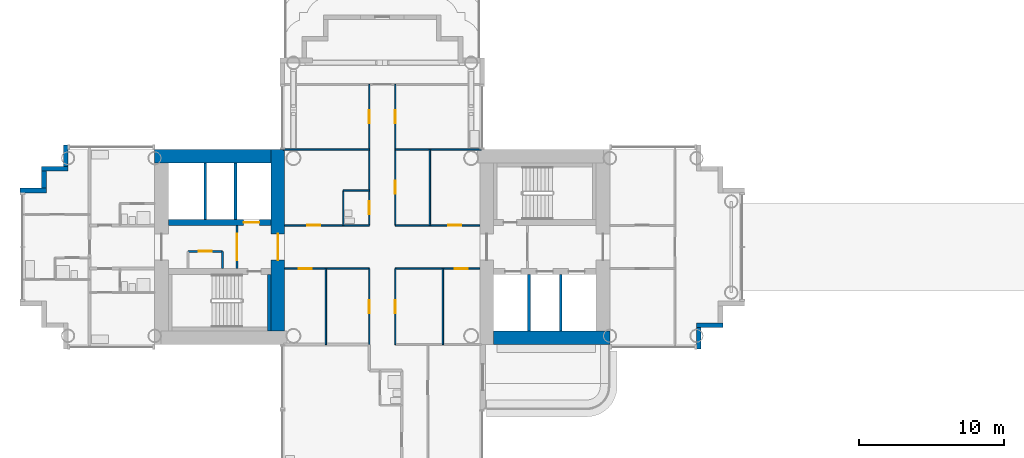
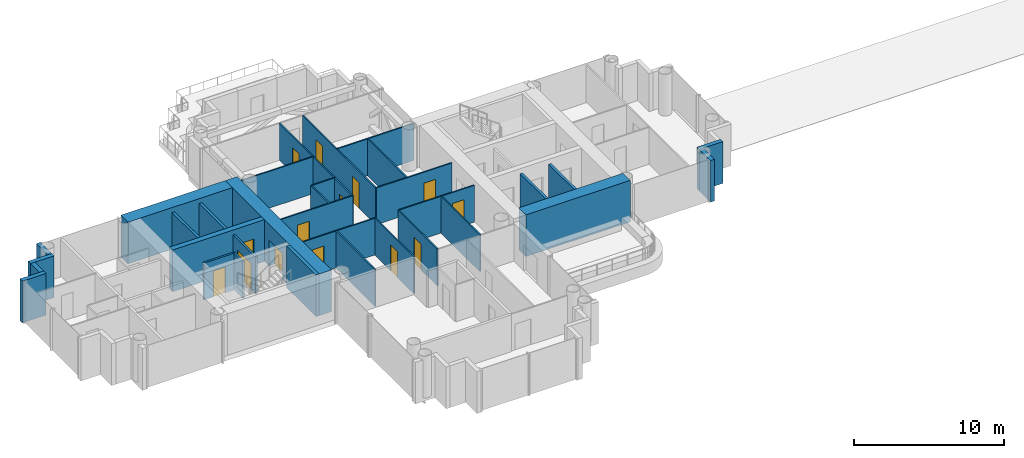
# One storey, part 11 of 22: 33 walls, 14 doors, 14 openings.
"""IFC4 building model written with IfcOpenShell, lengths in metres."""

from ifc_helpers import new_model, si_unit, direction, frame, frame_2d, origin, place, context, subcontext, project, spatial, rectangle, extrude, material, layer, layer_set, type_object, element, fill, save


model = new_model("IFC4")

# Units and contexts
model_context = context("Model", 3, precision=1e-05, world=origin(), true_north=direction((0.0, 1.0)))
body_context = subcontext(model_context, "Body", "Model", "MODEL_VIEW")
ifc_project = project(units=[si_unit("LENGTHUNIT", "METRE"), si_unit("AREAUNIT", "SQUARE_METRE"), si_unit("VOLUMEUNIT", "CUBIC_METRE"), si_unit("PLANEANGLEUNIT", "RADIAN"), si_unit("MASSUNIT", "GRAM", prefix="KILO")], contexts=[model_context])

# Site, building, storey
site_placement = place(None, origin())
site = spatial("IfcSite", under=ifc_project, at=site_placement, CompositionType="ELEMENT")
building_placement = place(site_placement, origin())
building = spatial("IfcBuilding", under=site, at=building_placement, Name="Ipe Terrace Towers", CompositionType="ELEMENT")
storey_placement = place(building_placement, frame((0.0, 0.0, 76.60009765625)))
storey = spatial("IfcBuildingStorey", under=building, at=storey_placement, Name="L20", CompositionType="ELEMENT", Elevation=76.60009765625)

# Walls
ifc_material_1 = material(Name="Concrete C40/50 with buff precast cladding", Category="concrete")
ifc_layer_1 = layer(ifc_material_1, 0.320068359375)
ifc_layer_set_1 = layer_set([ifc_layer_1], Name="BUFF CLADDING WALL 320")
wall_type_1 = type_object("IfcWallType", Name="BUFF CLADDING WALL 320", PredefinedType="STANDARD", material=ifc_layer_set_1)
wall_1_placement = place(storey_placement, frame((-14.090087890625, -7.070068359375, -0.300048828125), z_axis=(0.0, 0.0, 1.0), x_axis=(0.0, 1.0, 0.0)))
element("IfcWall", 1, at=wall_1_placement, inside=storey, type_object=wall_type_1, Name="T1-W-L20-21a wall", PredefinedType="STANDARD", context=body_context, shape_type="SweptSolid", body=[
    extrude(rectangle(XDim=1.5, YDim=0.320068359375, at=frame_2d((0.75, 0.0))), origin(), (0.0, 0.0, 1.0), 3.39990234375),
])
wall_2_placement = place(storey_placement, frame((-14.25, -5.409912109375, -0.300048828125), z_axis=(0.0, 0.0, 1.0), x_axis=(1.0, 0.0, 0.0)))
element("IfcWall", 2, at=wall_2_placement, inside=storey, type_object=wall_type_1, Name="T1-W-L20-22a wall", PredefinedType="STANDARD", context=body_context, shape_type="SweptSolid", body=[
    extrude(rectangle(XDim=1.820068359375, YDim=0.320068359375, at=frame_2d((0.91015625, 0.0))), origin(), (0.0, 0.0, 1.0), 3.39990234375),
])
wall_3_placement = place(storey_placement, frame((-57.909912109375, 7.070068359375, -0.300048828125), z_axis=(0.0, 0.0, 1.0), x_axis=(0.0, -1.0, 0.0)))
element("IfcWall", 3, at=wall_3_placement, inside=storey, type_object=wall_type_1, Name="T1-W-L20-47a wall", PredefinedType="STANDARD", context=body_context, shape_type="SweptSolid", body=[
    extrude(rectangle(XDim=1.5, YDim=0.320068359375, at=frame_2d((0.75, 0.0))), origin(), (0.0, 0.0, 1.0), 3.39990234375),
])
wall_4_placement = place(storey_placement, frame((-57.75, 5.409912109375, -0.300048828125), z_axis=(0.0, 0.0, 1.0), x_axis=(-1.0, 0.0, 0.0)))
element("IfcWall", 4, at=wall_4_placement, inside=storey, type_object=wall_type_1, Name="T1-W-L20-48a wall", PredefinedType="STANDARD", context=body_context, shape_type="SweptSolid", body=[
    extrude(rectangle(XDim=1.820068359375, YDim=0.320068359375, at=frame_2d((0.91015625, 0.0))), origin(), (0.0, 0.0, 1.0), 3.39990234375),
])
wall_5_placement = place(storey_placement, frame((-59.409912109375, 5.25, -0.300048828125), z_axis=(0.0, 0.0, 1.0), x_axis=(0.0, -1.0, 0.0)))
element("IfcWall", 5, at=wall_5_placement, inside=storey, type_object=wall_type_1, Name="T1-W-L20-49a wall", PredefinedType="STANDARD", context=body_context, shape_type="SweptSolid", body=[
    extrude(rectangle(XDim=1.179931640625, YDim=0.320068359375, at=frame_2d((0.58984375, 0.0))), origin(), (0.0, 0.0, 1.0), 3.39990234375),
])
wall_6_placement = place(storey_placement, frame((-59.25, 3.909912109375, -0.300048828125), z_axis=(0.0, 0.0, 1.0), x_axis=(-1.0, 0.0, 0.0)))
element("IfcWall", 6, at=wall_6_placement, inside=storey, type_object=wall_type_1, Name="T1-W-L20-50a wall", PredefinedType="STANDARD", context=body_context, shape_type="SweptSolid", body=[
    extrude(rectangle(XDim=1.820068359375, YDim=0.320068359375, at=frame_2d((0.91015625, 0.0))), origin(), (0.0, 0.0, 1.0), 3.39990234375),
])
ifc_material_2 = material(Name="Gypsum board partition", Category="plasterboard")
ifc_layer_2 = layer(ifc_material_2, 0.10009765625)
ifc_layer_set_2 = layer_set([ifc_layer_2], Name="Gypsum board partition 100 mm")
wall_type_2 = type_object("IfcWallType", Name="Gypsum board partition 100 mm", PredefinedType="PARTITIONING", material=ifc_layer_set_2)
wall_7_placement = place(storey_placement, frame((-39.89990234375, -6.75, 0.0), z_axis=(0.0, 0.0, 1.0), x_axis=(0.0, 1.0, 0.0)))
element("IfcWall", 7, at=wall_7_placement, inside=storey, type_object=wall_type_2, Name="Gypsum board partition T1 L20 W05", PredefinedType="PARTITIONING", context=body_context, shape_type="SweptSolid", body=[
    extrude(rectangle(XDim=5.25, YDim=0.10009765625, at=frame_2d((2.625, 0.0))), origin(), (0.0, 0.0, 1.0), 3.0),
])
wall_8_placement = place(storey_placement, frame((-38.699951171875, 1.5, 0.0), z_axis=(0.0, 0.0, 1.0), x_axis=(0.0, 1.0, 0.0)))
element("IfcWall", 8, at=wall_8_placement, inside=storey, type_object=wall_type_2, Name="Gypsum board partition T1 L20 W06", PredefinedType="PARTITIONING", context=body_context, shape_type="SweptSolid", body=[
    extrude(rectangle(XDim=2.39990234375, YDim=0.10009765625, at=frame_2d((1.199951171875, 0.0))), origin(), (0.0, 0.0, 1.0), 3.0),
])

# Wall, opening, door
wall_9_placement = place(storey_placement, frame((-36.89990234375, -6.75, 0.0), z_axis=(0.0, 0.0, 1.0), x_axis=(0.0, 1.0, 0.0)))
wall_9 = element("IfcWall", 9, at=wall_9_placement, inside=storey, type_object=wall_type_2, Name="Gypsum board partition T1 L20 W07", PredefinedType="PARTITIONING", context=body_context, shape_type="SweptSolid", body=[
    extrude(rectangle(XDim=5.25, YDim=0.10009765625, at=frame_2d((2.625, 0.0))), origin(), (0.0, 0.0, 1.0), 3.0),
])
opening_1_placement = place(wall_9_placement, frame((2.175048828125, 0.0, 0.0)))
opening_1 = element("IfcOpeningElement", 10, at=opening_1_placement, cuts=wall_9, Name="Opening T1-Z2B-05", PredefinedType="OPENING", context=body_context, shape_type="SweptSolid", body=[
    extrude(rectangle(XDim=0.89990234375, YDim=2.10009765625, at=frame_2d((0.449951171875, 1.050048828125))), frame((0.0, 0.06005859375, 0.0), z_axis=(0.0, -1.0, 0.0), x_axis=(1.0, 0.0, 0.0)), (0.0, 0.0, 1.0), 0.1201171875),
])
ifc_material_3 = material(Name="Timber door leaf", Category="wood")
door_type_1 = type_object("IfcDoorType", Name="Lounge door 900 x 2100", OperationType="NOTDEFINED", PredefinedType="DOOR", material=ifc_material_3)
door_1_placement = place(opening_1_placement, origin())
door_1 = element("IfcDoor", 11, at=door_1_placement, inside=storey, type_object=door_type_1, Name="Lounge door T1-Z2B-05", OperationType="SINGLE_SWING_LEFT", OverallHeight=2.10009765625, OverallWidth=0.89990234375, PredefinedType="DOOR", context=body_context, shape_type="SweptSolid", body=[
    extrude(rectangle(XDim=0.89990234375, YDim=2.10009765625, at=frame_2d((0.449951171875, 1.050048828125))), frame((0.0, 0.02490234375, 0.0), z_axis=(0.0, -1.0, 0.0), x_axis=(1.0, 0.0, 0.0)), (0.0, 0.0, 1.0), 0.050048828125),
])
fill(opening_1, door_1)

# Wall, openings, doors
wall_10_placement = place(storey_placement, frame((-36.89990234375, 1.5, 0.0), z_axis=(0.0, 0.0, 1.0), x_axis=(0.0, 1.0, 0.0)))
wall_10 = element("IfcWall", 12, at=wall_10_placement, inside=storey, type_object=wall_type_2, Name="Gypsum board partition T1 L20 W08", PredefinedType="PARTITIONING", context=body_context, shape_type="SweptSolid", body=[
    extrude(rectangle(XDim=9.75, YDim=0.10009765625, at=frame_2d((4.875, 0.0))), origin(), (0.0, 0.0, 1.0), 3.0),
])
opening_2_placement = place(wall_10_placement, frame((0.75, 0.0, 0.0)))
opening_2 = element("IfcOpeningElement", 13, at=opening_2_placement, cuts=wall_10, Name="Opening T1-Z2B-01", PredefinedType="OPENING", context=body_context, shape_type="SweptSolid", body=[
    extrude(rectangle(XDim=0.89990234375, YDim=2.10009765625, at=frame_2d((0.449951171875, 1.050048828125))), frame((0.0, 0.06005859375, 0.0), z_axis=(0.0, -1.0, 0.0), x_axis=(1.0, 0.0, 0.0)), (0.0, 0.0, 1.0), 0.1201171875),
])
opening_3_placement = place(wall_10_placement, frame((7.050048828125, 0.0, 0.0)))
opening_3 = element("IfcOpeningElement", 14, at=opening_3_placement, cuts=wall_10, Name="Opening T1-Z2B-09", PredefinedType="OPENING", context=body_context, shape_type="SweptSolid", body=[
    extrude(rectangle(XDim=0.89990234375, YDim=2.10009765625, at=frame_2d((0.449951171875, 1.050048828125))), frame((0.0, 0.06005859375, 0.0), z_axis=(0.0, -1.0, 0.0), x_axis=(1.0, 0.0, 0.0)), (0.0, 0.0, 1.0), 0.1201171875),
])
ifc_material_4 = material(Name="Timber door leaf", Category="wood")
door_type_2 = type_object("IfcDoorType", Name="Bathroom door 900 x 2100", OperationType="NOTDEFINED", PredefinedType="DOOR", material=ifc_material_4)
door_2_placement = place(opening_2_placement, origin())
door_2 = element("IfcDoor", 15, at=door_2_placement, inside=storey, type_object=door_type_2, Name="Bathroom door T1-Z2B-01", OperationType="SINGLE_SWING_RIGHT", OverallHeight=2.10009765625, OverallWidth=0.89990234375, PredefinedType="DOOR", context=body_context, shape_type="SweptSolid", body=[
    extrude(rectangle(XDim=0.89990234375, YDim=2.10009765625, at=frame_2d((0.449951171875, 1.050048828125))), frame((0.0, 0.02490234375, 0.0), z_axis=(0.0, -1.0, 0.0), x_axis=(1.0, 0.0, 0.0)), (0.0, 0.0, 1.0), 0.050048828125),
])
fill(opening_2, door_2)
door_3_placement = place(opening_3_placement, origin())
door_3 = element("IfcDoor", 16, at=door_3_placement, inside=storey, type_object=door_type_1, Name="Lounge door T1-Z2B-09", OperationType="SINGLE_SWING_LEFT", OverallHeight=2.10009765625, OverallWidth=0.89990234375, PredefinedType="DOOR", context=body_context, shape_type="SweptSolid", body=[
    extrude(rectangle(XDim=0.89990234375, YDim=2.10009765625, at=frame_2d((0.449951171875, 1.050048828125))), frame((0.0, 0.02490234375, 0.0), z_axis=(0.0, -1.0, 0.0), x_axis=(1.0, 0.0, 0.0)), (0.0, 0.0, 1.0), 0.050048828125),
])
fill(opening_3, door_3)

# Wall, opening, door
wall_11_placement = place(storey_placement, frame((-35.10009765625, -6.75, 0.0), z_axis=(0.0, 0.0, 1.0), x_axis=(0.0, 1.0, 0.0)))
wall_11 = element("IfcWall", 17, at=wall_11_placement, inside=storey, type_object=wall_type_2, Name="Gypsum board partition T1 L20 W11", PredefinedType="PARTITIONING", context=body_context, shape_type="SweptSolid", body=[
    extrude(rectangle(XDim=5.25, YDim=0.10009765625, at=frame_2d((2.625, 0.0))), origin(), (0.0, 0.0, 1.0), 3.0),
])
opening_4_placement = place(wall_11_placement, frame((2.175048828125, 0.0, 0.0)))
opening_4 = element("IfcOpeningElement", 18, at=opening_4_placement, cuts=wall_11, Name="Opening T1-Z2B-07", PredefinedType="OPENING", context=body_context, shape_type="SweptSolid", body=[
    extrude(rectangle(XDim=0.89990234375, YDim=2.10009765625, at=frame_2d((0.449951171875, 1.050048828125))), frame((0.0, 0.06005859375, 0.0), z_axis=(0.0, -1.0, 0.0), x_axis=(1.0, 0.0, 0.0)), (0.0, 0.0, 1.0), 0.1201171875),
])
door_4_placement = place(opening_4_placement, origin())
door_4 = element("IfcDoor", 19, at=door_4_placement, inside=storey, type_object=door_type_1, Name="Lounge door T1-Z2B-07", OperationType="SINGLE_SWING_RIGHT", OverallHeight=2.10009765625, OverallWidth=0.89990234375, PredefinedType="DOOR", context=body_context, shape_type="SweptSolid", body=[
    extrude(rectangle(XDim=0.89990234375, YDim=2.10009765625, at=frame_2d((0.449951171875, 1.050048828125))), frame((0.0, 0.02490234375, 0.0), z_axis=(0.0, -1.0, 0.0), x_axis=(1.0, 0.0, 0.0)), (0.0, 0.0, 1.0), 0.050048828125),
])
fill(opening_4, door_4)

# Wall, openings, doors
wall_12_placement = place(storey_placement, frame((-35.10009765625, 1.5, 0.0), z_axis=(0.0, 0.0, 1.0), x_axis=(0.0, 1.0, 0.0)))
wall_12 = element("IfcWall", 20, at=wall_12_placement, inside=storey, type_object=wall_type_2, Name="Gypsum board partition T1 L20 W12", PredefinedType="PARTITIONING", context=body_context, shape_type="SweptSolid", body=[
    extrude(rectangle(XDim=9.75, YDim=0.10009765625, at=frame_2d((4.875, 0.0))), origin(), (0.0, 0.0, 1.0), 3.0),
])
opening_5_placement = place(wall_12_placement, frame((2.175048828125, 0.0, 0.0)))
opening_5 = element("IfcOpeningElement", 21, at=opening_5_placement, cuts=wall_12, Name="Opening T1-Z2B-02", PredefinedType="OPENING", context=body_context, shape_type="SweptSolid", body=[
    extrude(rectangle(XDim=0.89990234375, YDim=2.10009765625, at=frame_2d((0.449951171875, 1.050048828125))), frame((0.0, 0.06005859375, 0.0), z_axis=(0.0, -1.0, 0.0), x_axis=(1.0, 0.0, 0.0)), (0.0, 0.0, 1.0), 0.1201171875),
])
opening_6_placement = place(wall_12_placement, frame((7.050048828125, 0.0, 0.0)))
opening_6 = element("IfcOpeningElement", 22, at=opening_6_placement, cuts=wall_12, Name="Opening T1-Z2B-10", PredefinedType="OPENING", context=body_context, shape_type="SweptSolid", body=[
    extrude(rectangle(XDim=0.89990234375, YDim=2.10009765625, at=frame_2d((0.449951171875, 1.050048828125))), frame((0.0, 0.06005859375, 0.0), z_axis=(0.0, -1.0, 0.0), x_axis=(1.0, 0.0, 0.0)), (0.0, 0.0, 1.0), 0.1201171875),
])
door_5_placement = place(opening_5_placement, origin())
door_5 = element("IfcDoor", 23, at=door_5_placement, inside=storey, type_object=door_type_1, Name="Lounge door T1-Z2B-02", OperationType="SINGLE_SWING_LEFT", OverallHeight=2.10009765625, OverallWidth=0.89990234375, PredefinedType="DOOR", context=body_context, shape_type="SweptSolid", body=[
    extrude(rectangle(XDim=0.89990234375, YDim=2.10009765625, at=frame_2d((0.449951171875, 1.050048828125))), frame((0.0, 0.02490234375, 0.0), z_axis=(0.0, -1.0, 0.0), x_axis=(1.0, 0.0, 0.0)), (0.0, 0.0, 1.0), 0.050048828125),
])
fill(opening_5, door_5)
door_6_placement = place(opening_6_placement, origin())
door_6 = element("IfcDoor", 24, at=door_6_placement, inside=storey, type_object=door_type_1, Name="Lounge door T1-Z2B-10", OperationType="SINGLE_SWING_RIGHT", OverallHeight=2.10009765625, OverallWidth=0.89990234375, PredefinedType="DOOR", context=body_context, shape_type="SweptSolid", body=[
    extrude(rectangle(XDim=0.89990234375, YDim=2.10009765625, at=frame_2d((0.449951171875, 1.050048828125))), frame((0.0, 0.02490234375, 0.0), z_axis=(0.0, -1.0, 0.0), x_axis=(1.0, 0.0, 0.0)), (0.0, 0.0, 1.0), 0.050048828125),
])
fill(opening_6, door_6)

# Walls
for number, where, z_axis, x_axis, name in (
    (25, (-32.699951171875, 1.5, 0.0), (0.0, 0.0, 1.0), (0.0, 1.0, 0.0), "Gypsum board partition T1 L20 W15"),
    (26, (-31.800048828125, -6.75, 0.0), (0.0, 0.0, 1.0), (0.0, 1.0, 0.0), "Gypsum board partition T1 L20 W16"),
):
    element("IfcWall", number, at=place(storey_placement, frame(where, z_axis=z_axis, x_axis=x_axis)), inside=storey, type_object=wall_type_2, Name=name, PredefinedType="PARTITIONING", context=body_context, shape_type="SweptSolid", body=[
        extrude(rectangle(XDim=5.25, YDim=0.10009765625, at=frame_2d((2.625, 0.0))), origin(), (0.0, 0.0, 1.0), 3.0),
    ])

# Wall, opening, door
wall_13_placement = place(storey_placement, frame((-42.75, -1.5, 0.0), z_axis=(0.0, 0.0, 1.0), x_axis=(1.0, 0.0, 0.0)))
wall_13 = element("IfcWall", 27, at=wall_13_placement, inside=storey, type_object=wall_type_2, Name="Gypsum board partition T1 L20 W26", PredefinedType="PARTITIONING", context=body_context, shape_type="SweptSolid", body=[
    extrude(rectangle(XDim=5.85009765625, YDim=0.10009765625, at=frame_2d((2.925048828125, 0.0))), origin(), (0.0, 0.0, 1.0), 3.0),
])
opening_7_placement = place(wall_13_placement, frame((0.97509765625, 0.0, 0.0)))
opening_7 = element("IfcOpeningElement", 28, at=opening_7_placement, cuts=wall_13, Name="Opening T1-Z2B-06", PredefinedType="OPENING", context=body_context, shape_type="SweptSolid", body=[
    extrude(rectangle(XDim=0.89990234375, YDim=2.10009765625, at=frame_2d((0.449951171875, 1.050048828125))), frame((0.0, 0.06005859375, 0.0), z_axis=(0.0, -1.0, 0.0), x_axis=(1.0, 0.0, 0.0)), (0.0, 0.0, 1.0), 0.1201171875),
])
door_7_placement = place(opening_7_placement, origin())
door_7 = element("IfcDoor", 29, at=door_7_placement, inside=storey, type_object=door_type_1, Name="Lounge door T1-Z2B-06", OperationType="SINGLE_SWING_LEFT", OverallHeight=2.10009765625, OverallWidth=0.89990234375, PredefinedType="DOOR", context=body_context, shape_type="SweptSolid", body=[
    extrude(rectangle(XDim=0.89990234375, YDim=2.10009765625, at=frame_2d((0.449951171875, 1.050048828125))), frame((0.0, 0.02490234375, 0.0), z_axis=(0.0, -1.0, 0.0), x_axis=(1.0, 0.0, 0.0)), (0.0, 0.0, 1.0), 0.050048828125),
])
fill(opening_7, door_7)

wall_14_placement = place(storey_placement, frame((-35.10009765625, -1.5, 0.0), z_axis=(0.0, 0.0, 1.0), x_axis=(1.0, 0.0, 0.0)))
wall_14 = element("IfcWall", 30, at=wall_14_placement, inside=storey, type_object=wall_type_2, Name="Gypsum board partition T1 L20 W27", PredefinedType="PARTITIONING", context=body_context, shape_type="SweptSolid", body=[
    extrude(rectangle(XDim=5.85009765625, YDim=0.10009765625, at=frame_2d((2.925048828125, 0.0))), origin(), (0.0, 0.0, 1.0), 3.0),
])
opening_8_placement = place(wall_14_placement, frame((4.125, 0.0, 0.0)))
opening_8 = element("IfcOpeningElement", 31, at=opening_8_placement, cuts=wall_14, Name="Opening T1-Z2B-08", PredefinedType="OPENING", context=body_context, shape_type="SweptSolid", body=[
    extrude(rectangle(XDim=0.89990234375, YDim=2.10009765625, at=frame_2d((0.449951171875, 1.050048828125))), frame((0.0, 0.06005859375, 0.0), z_axis=(0.0, -1.0, 0.0), x_axis=(1.0, 0.0, 0.0)), (0.0, 0.0, 1.0), 0.1201171875),
])
door_8_placement = place(opening_8_placement, origin())
door_8 = element("IfcDoor", 32, at=door_8_placement, inside=storey, type_object=door_type_1, Name="Lounge door T1-Z2B-08", OperationType="SINGLE_SWING_RIGHT", OverallHeight=2.10009765625, OverallWidth=0.89990234375, PredefinedType="DOOR", context=body_context, shape_type="SweptSolid", body=[
    extrude(rectangle(XDim=0.89990234375, YDim=2.10009765625, at=frame_2d((0.449951171875, 1.050048828125))), frame((0.0, 0.02490234375, 0.0), z_axis=(0.0, -1.0, 0.0), x_axis=(1.0, 0.0, 0.0)), (0.0, 0.0, 1.0), 0.050048828125),
])
fill(opening_8, door_8)

wall_15_placement = place(storey_placement, frame((-42.75, 1.5, 0.0), z_axis=(0.0, 0.0, 1.0), x_axis=(1.0, 0.0, 0.0)))
wall_15 = element("IfcWall", 33, at=wall_15_placement, inside=storey, type_object=wall_type_2, Name="Gypsum board partition T1 L20 W31", PredefinedType="PARTITIONING", context=body_context, shape_type="SweptSolid", body=[
    extrude(rectangle(XDim=5.85009765625, YDim=0.10009765625, at=frame_2d((2.925048828125, 0.0))), origin(), (0.0, 0.0, 1.0), 3.0),
])
opening_9_placement = place(wall_15_placement, frame((1.574951171875, 0.0, 0.0)))
opening_9 = element("IfcOpeningElement", 34, at=opening_9_placement, cuts=wall_15, Name="Opening T1-Z2B-04", PredefinedType="OPENING", context=body_context, shape_type="SweptSolid", body=[
    extrude(rectangle(XDim=0.89990234375, YDim=2.10009765625, at=frame_2d((0.449951171875, 1.050048828125))), frame((0.0, 0.06005859375, 0.0), z_axis=(0.0, -1.0, 0.0), x_axis=(1.0, 0.0, 0.0)), (0.0, 0.0, 1.0), 0.1201171875),
])
door_9_placement = place(opening_9_placement, origin())
door_9 = element("IfcDoor", 35, at=door_9_placement, inside=storey, type_object=door_type_1, Name="Lounge door T1-Z2B-04", OperationType="SINGLE_SWING_RIGHT", OverallHeight=2.10009765625, OverallWidth=0.89990234375, PredefinedType="DOOR", context=body_context, shape_type="SweptSolid", body=[
    extrude(rectangle(XDim=0.89990234375, YDim=2.10009765625, at=frame_2d((0.449951171875, 1.050048828125))), frame((0.0, 0.02490234375, 0.0), z_axis=(0.0, -1.0, 0.0), x_axis=(1.0, 0.0, 0.0)), (0.0, 0.0, 1.0), 0.050048828125),
])
fill(opening_9, door_9)

wall_16_placement = place(storey_placement, frame((-35.10009765625, 1.5, 0.0), z_axis=(0.0, 0.0, 1.0), x_axis=(1.0, 0.0, 0.0)))
wall_16 = element("IfcWall", 36, at=wall_16_placement, inside=storey, type_object=wall_type_2, Name="Gypsum board partition T1 L20 W32", PredefinedType="PARTITIONING", context=body_context, shape_type="SweptSolid", body=[
    extrude(rectangle(XDim=5.85009765625, YDim=0.10009765625, at=frame_2d((2.925048828125, 0.0))), origin(), (0.0, 0.0, 1.0), 3.0),
])
opening_10_placement = place(wall_16_placement, frame((3.675048828125, 0.0, 0.0)))
opening_10 = element("IfcOpeningElement", 37, at=opening_10_placement, cuts=wall_16, Name="Opening T1-Z2B-03", PredefinedType="OPENING", context=body_context, shape_type="SweptSolid", body=[
    extrude(rectangle(XDim=0.89990234375, YDim=2.10009765625, at=frame_2d((0.449951171875, 1.050048828125))), frame((0.0, 0.06005859375, 0.0), z_axis=(0.0, -1.0, 0.0), x_axis=(1.0, 0.0, 0.0)), (0.0, 0.0, 1.0), 0.1201171875),
])
door_10_placement = place(opening_10_placement, origin())
door_10 = element("IfcDoor", 38, at=door_10_placement, inside=storey, type_object=door_type_1, Name="Lounge door T1-Z2B-03", OperationType="SINGLE_SWING_LEFT", OverallHeight=2.10009765625, OverallWidth=0.89990234375, PredefinedType="DOOR", context=body_context, shape_type="SweptSolid", body=[
    extrude(rectangle(XDim=0.89990234375, YDim=2.10009765625, at=frame_2d((0.449951171875, 1.050048828125))), frame((0.0, 0.02490234375, 0.0), z_axis=(0.0, -1.0, 0.0), x_axis=(1.0, 0.0, 0.0)), (0.0, 0.0, 1.0), 0.050048828125),
])
fill(opening_10, door_10)

# Walls
wall_17_placement = place(storey_placement, frame((-38.699951171875, 3.89990234375, 0.0), z_axis=(0.0, 0.0, 1.0), x_axis=(1.0, 0.0, 0.0)))
element("IfcWall", 39, at=wall_17_placement, inside=storey, type_object=wall_type_2, Name="Gypsum board partition T1 L20 W37", PredefinedType="PARTITIONING", context=body_context, shape_type="SweptSolid", body=[
    extrude(rectangle(XDim=1.800048828125, YDim=0.10009765625, at=frame_2d((0.89990234375, 0.0))), origin(), (0.0, 0.0, 1.0), 3.0),
])
for number, where, z_axis, x_axis, name in (
    (40, (-42.85009765625, 6.75, 0.0), (0.0, 0.0, 1.0), (1.0, 0.0, 0.0), "Gypsum board partition T1 L20 W38"),
    (41, (-35.10009765625, 6.75, 0.0), (0.0, 0.0, 1.0), (1.0, 0.0, 0.0), "Gypsum board partition T1 L20 W39"),
):
    element("IfcWall", number, at=place(storey_placement, frame(where, z_axis=z_axis, x_axis=x_axis)), inside=storey, type_object=wall_type_2, Name=name, PredefinedType="PARTITIONING", context=body_context, shape_type="SweptSolid", body=[
        extrude(rectangle(XDim=5.9501953125, YDim=0.10009765625, at=frame_2d((2.97509765625, 0.0))), origin(), (0.0, 0.0, 1.0), 3.0),
    ])

# Wall, opening, door
ifc_material_5 = material(Name="Gypsum board partition", Category="plasterboard")
ifc_layer_3 = layer(ifc_material_5, 0.14990234375)
ifc_layer_set_3 = layer_set([ifc_layer_3], Name="Gypsum board partition 150 mm")
wall_type_3 = type_object("IfcWallType", Name="Gypsum board partition 150 mm", PredefinedType="PARTITIONING", material=ifc_layer_set_3)
wall_18_placement = place(storey_placement, frame((-46.050048828125, 1.5, 0.0), z_axis=(0.0, 0.0, 1.0), x_axis=(0.0, -1.0, 0.0)))
wall_18 = element("IfcWall", 42, at=wall_18_placement, inside=storey, type_object=wall_type_3, Name="Gypsum board partition T1 L20 t1c2-lobby-wall", PredefinedType="PARTITIONING", context=body_context, shape_type="SweptSolid", body=[
    extrude(rectangle(XDim=3.0, YDim=0.14990234375, at=frame_2d((1.5, 0.0))), origin(), (0.0, 0.0, 1.0), 3.0),
])
opening_11_placement = place(wall_18_placement, frame((0.60009765625, 0.0, 0.0)))
opening_11 = element("IfcOpeningElement", 43, at=opening_11_placement, cuts=wall_18, Name="Opening T1C2-VD", PredefinedType="OPENING", context=body_context, shape_type="SweptSolid", body=[
    extrude(rectangle(XDim=1.800048828125, YDim=2.10009765625, at=frame_2d((0.89990234375, 1.050048828125))), frame((0.0, 0.0849609375, 0.0), z_axis=(0.0, -1.0, 0.0), x_axis=(1.0, 0.0, 0.0)), (0.0, 0.0, 1.0), 0.169921875),
])
ifc_material_6 = material(Name="Fire-rated timber door leaf", Category="wood")
door_type_3 = type_object("IfcDoorType", Name="Lobby door 1800 x 2100 FD60", OperationType="NOTDEFINED", PredefinedType="DOOR", material=ifc_material_6)
door_11_placement = place(opening_11_placement, origin())
door_11 = element("IfcDoor", 44, at=door_11_placement, inside=storey, type_object=door_type_3, Name="Lobby door T1C2-VD", OperationType="SINGLE_SWING_LEFT", OverallHeight=2.10009765625, OverallWidth=1.800048828125, PredefinedType="DOOR", context=body_context, shape_type="SweptSolid", body=[
    extrude(rectangle(XDim=1.800048828125, YDim=2.10009765625, at=frame_2d((0.89990234375, 1.050048828125))), frame((0.0, 0.02490234375, 0.0), z_axis=(0.0, -1.0, 0.0), x_axis=(1.0, 0.0, 0.0)), (0.0, 0.0, 1.0), 0.050048828125),
])
fill(opening_11, door_11)

wall_19_placement = place(storey_placement, frame((-47.050048828125, -0.300048828125, 0.0), z_axis=(0.0, 0.0, 1.0), x_axis=(-1.0, 0.0, 0.0)))
wall_19 = element("IfcWall", 45, at=wall_19_placement, inside=storey, type_object=wall_type_3, Name="Gypsum board partition T1 L20 t1c2-cup-n-f", PredefinedType="PARTITIONING", context=body_context, shape_type="SweptSolid", body=[
    extrude(rectangle(XDim=2.39990234375, YDim=0.14990234375, at=frame_2d((1.199951171875, 0.0))), origin(), (0.0, 0.0, 1.0), 3.0),
])
opening_12_placement = place(wall_19_placement, frame((0.75, 0.0, 0.0)))
opening_12 = element("IfcOpeningElement", 46, at=opening_12_placement, cuts=wall_19, Name="Opening T1C2-SR", PredefinedType="OPENING", context=body_context, shape_type="SweptSolid", body=[
    extrude(rectangle(XDim=0.89990234375, YDim=2.10009765625, at=frame_2d((0.449951171875, 1.050048828125))), frame((0.0, 0.0849609375, 0.0), z_axis=(0.0, -1.0, 0.0), x_axis=(1.0, 0.0, 0.0)), (0.0, 0.0, 1.0), 0.169921875),
])
ifc_material_7 = material(Name="Fire-rated timber door leaf", Category="wood")
door_type_4 = type_object("IfcDoorType", Name="Service door 900 x 2100 FD60", OperationType="NOTDEFINED", PredefinedType="DOOR", material=ifc_material_7)
door_12_placement = place(opening_12_placement, origin())
door_12 = element("IfcDoor", 47, at=door_12_placement, inside=storey, type_object=door_type_4, Name="Service door T1C2-SR", OperationType="SINGLE_SWING_LEFT", OverallHeight=2.10009765625, OverallWidth=0.89990234375, PredefinedType="DOOR", context=body_context, shape_type="SweptSolid", body=[
    extrude(rectangle(XDim=0.89990234375, YDim=2.10009765625, at=frame_2d((0.449951171875, 1.050048828125))), frame((0.0, 0.02490234375, 0.0), z_axis=(0.0, -1.0, 0.0), x_axis=(1.0, 0.0, 0.0)), (0.0, 0.0, 1.0), 0.050048828125),
])
fill(opening_12, door_12)

# Walls
wall_20_placement = place(storey_placement, frame((-47.050048828125, -0.300048828125, 0.0), z_axis=(0.0, 0.0, 1.0), x_axis=(0.0, -1.0, 0.0)))
element("IfcWall", 48, at=wall_20_placement, inside=storey, type_object=wall_type_3, Name="Gypsum board partition T1 L20 t1c2-cup-n-a", PredefinedType="PARTITIONING", context=body_context, shape_type="SweptSolid", body=[
    extrude(rectangle(XDim=1.199951171875, YDim=0.14990234375, at=frame_2d((0.60009765625, 0.0))), origin(), (0.0, 0.0, 1.0), 3.0),
])
ifc_material_8 = material(Name="Gypsum board party wall", Category="plasterboard")
ifc_layer_4 = layer(ifc_material_8, 0.199951171875)
ifc_layer_set_4 = layer_set([ifc_layer_4], Name="Gypsum board party wall 200 mm")
wall_type_4 = type_object("IfcWallType", Name="Gypsum board party wall 200 mm", PredefinedType="SOLIDWALL", material=ifc_layer_set_4)
for number, where, z_axis, x_axis, name in (
    (49, (-25.85009765625, -5.800048828125, 0.0), (0.0, 0.0, 1.0), (0.0, 1.0, 0.0), "Gypsum board party wall T1 L20 t1c1-shaft-div1"),
    (50, (-23.64990234375, -5.800048828125, 0.0), (0.0, 0.0, 1.0), (0.0, 1.0, 0.0), "Gypsum board party wall T1 L20 t1c1-shaft-div2"),
    (51, (-46.14990234375, 5.800048828125, 0.0), (0.0, 0.0, 1.0), (0.0, -1.0, 0.0), "Gypsum board party wall T1 L20 t1c2-shaft-div1"),
    (52, (-48.25, 5.800048828125, 0.0), (0.0, 0.0, 1.0), (0.0, -1.0, 0.0), "Gypsum board party wall T1 L20 t1c2-shaft-div2"),
):
    element("IfcWall", number, at=place(storey_placement, frame(where, z_axis=z_axis, x_axis=x_axis)), inside=storey, type_object=wall_type_4, Name=name, PredefinedType="SOLIDWALL", context=body_context, shape_type="SweptSolid", body=[
        extrude(rectangle(XDim=3.900146484375, YDim=0.199951171875, at=frame_2d((1.9501953125, 0.0))), origin(), (0.0, 0.0, 1.0), 3.0),
    ])
ifc_material_9 = material(Name="Concrete C50/60", Category="concrete")
ifc_layer_5 = layer(ifc_material_9, 0.25)
ifc_layer_set_5 = layer_set([ifc_layer_5], Name="RW250 CORE INFILL WALL 250 C50-60")
wall_type_5 = type_object("IfcWallType", Name="RW250 CORE INFILL WALL 250 C50-60", PredefinedType="SHEAR", material=ifc_layer_set_5)
wall_21_placement = place(storey_placement, frame((-43.824951171875, -1.89990234375, 0.0), z_axis=(0.0, 0.0, 1.0), x_axis=(0.0, -1.0, 0.0)))
element("IfcWall", 53, at=wall_21_placement, inside=storey, type_object=wall_type_5, Name="Core infill wall T1-C2-near", PredefinedType="SHEAR", context=body_context, shape_type="SweptSolid", body=[
    extrude(rectangle(XDim=3.900146484375, YDim=0.25, at=frame_2d((1.9501953125, 0.0))), origin(), (0.0, 0.0, 1.0), 3.39990234375),
])

# Wall, opening, door
ifc_material_10 = material(Name="Concrete C50/60", Category="concrete")
ifc_layer_6 = layer(ifc_material_10, 0.39990234375)
ifc_layer_set_6 = layer_set([ifc_layer_6], Name="RW400 CORE SPINE WALL 400 C50-60")
wall_type_6 = type_object("IfcWallType", Name="RW400 CORE SPINE WALL 400 C50-60", PredefinedType="SHEAR", material=ifc_layer_set_6)
wall_22_placement = place(storey_placement, frame((-50.800048828125, 1.699951171875, 0.0), z_axis=(0.0, 0.0, 1.0), x_axis=(1.0, 0.0, 0.0)))
wall_22 = element("IfcWall", 54, at=wall_22_placement, inside=storey, type_object=wall_type_6, Name="Core spine wall T1-C2-Z2-SW2", PredefinedType="SHEAR", context=body_context, shape_type="SweptSolid", body=[
    extrude(rectangle(XDim=7.10009765625, YDim=0.39990234375, at=frame_2d((3.550048828125, 0.0))), origin(), (0.0, 0.0, 1.0), 3.39990234375),
])
opening_13_placement = place(wall_22_placement, frame((5.199951171875, 0.0, 0.0)))
opening_13 = element("IfcOpeningElement", 55, at=opening_13_placement, cuts=wall_22, Name="Opening T1C2-LD1", PredefinedType="OPENING", context=body_context, shape_type="SweptSolid", body=[
    extrude(rectangle(XDim=1.10009765625, YDim=2.10009765625, at=frame_2d((0.550048828125, 1.050048828125))), frame((0.0, 0.2099609375, 0.0), z_axis=(0.0, -1.0, 0.0), x_axis=(1.0, 0.0, 0.0)), (0.0, 0.0, 1.0), 0.419921875),
])
ifc_material_11 = material(Name="Fire-rated timber door leaf", Category="wood")
door_type_5 = type_object("IfcDoorType", Name="Sliding door 1100 x 2100 FD60", OperationType="SLIDING_TO_LEFT", PredefinedType="DOOR", material=ifc_material_11)
door_13_placement = place(opening_13_placement, origin())
door_13 = element("IfcDoor", 56, at=door_13_placement, inside=storey, type_object=door_type_5, Name="Sliding door T1C2-LD1", OperationType="SLIDING_TO_LEFT", OverallHeight=2.10009765625, OverallWidth=1.10009765625, PredefinedType="DOOR", context=body_context, shape_type="SweptSolid", body=[
    extrude(rectangle(XDim=1.10009765625, YDim=2.10009765625, at=frame_2d((0.550048828125, 1.050048828125))), frame((0.0, 0.02490234375, 0.0), z_axis=(0.0, -1.0, 0.0), x_axis=(1.0, 0.0, 0.0)), (0.0, 0.0, 1.0), 0.050048828125),
])
fill(opening_13, door_13)

# Wall
ifc_material_12 = material(Name="Concrete C50/60", Category="concrete")
ifc_layer_7 = layer(ifc_material_12, 0.949951171875)
ifc_layer_set_7 = layer_set([ifc_layer_7], Name="RW950 CORE WALL 950 C50-60")
wall_type_7 = type_object("IfcWallType", Name="RW950 CORE WALL 950 C50-60", PredefinedType="SHEAR", material=ifc_layer_set_7)
wall_23_placement = place(storey_placement, frame((-28.300048828125, -6.27490234375, 0.0), z_axis=(0.0, 0.0, 1.0), x_axis=(1.0, 0.0, 0.0)))
element("IfcWall", 57, at=wall_23_placement, inside=storey, type_object=wall_type_7, Name="Core wall T1-C1-Z2-W01", PredefinedType="SHEAR", context=body_context, shape_type="SweptSolid", body=[
    extrude(rectangle(XDim=8.050048828125, YDim=0.949951171875, at=frame_2d((4.02490234375, 0.0))), origin(), (0.0, 0.0, 1.0), 3.39990234375),
])

# Wall, opening, door
wall_24_placement = place(storey_placement, frame((-43.22509765625, -5.800048828125, 0.0), z_axis=(0.0, 0.0, 1.0), x_axis=(0.0, 1.0, 0.0)))
wall_24 = element("IfcWall", 58, at=wall_24_placement, inside=storey, type_object=wall_type_7, Name="Core wall T1-C2-Z2-W02", PredefinedType="SHEAR", context=body_context, shape_type="SweptSolid", body=[
    extrude(rectangle(XDim=12.550048828125, YDim=0.949951171875, at=frame_2d((6.27490234375, 0.0))), origin(), (0.0, 0.0, 1.0), 3.39990234375),
])
opening_14_placement = place(wall_24_placement, frame((4.89990234375, 0.0, 0.0)))
opening_14 = element("IfcOpeningElement", 59, at=opening_14_placement, cuts=wall_24, Name="Opening T1C2-ND", PredefinedType="OPENING", context=body_context, shape_type="SweptSolid", body=[
    extrude(rectangle(XDim=1.800048828125, YDim=2.10009765625, at=frame_2d((0.89990234375, 1.050048828125))), frame((0.0, 0.48486328125, 0.0), z_axis=(0.0, -1.0, 0.0), x_axis=(1.0, 0.0, 0.0)), (0.0, 0.0, 1.0), 0.969970703125),
])
ifc_material_13 = material(Name="Fire-rated timber door leaf", Category="wood")
door_type_6 = type_object("IfcDoorType", Name="Fire door 1800 x 2100 FD30S", OperationType="NOTDEFINED", PredefinedType="DOOR", material=ifc_material_13)
door_14_placement = place(opening_14_placement, origin())
door_14 = element("IfcDoor", 60, at=door_14_placement, inside=storey, type_object=door_type_6, Name="Fire door T1C2-ND", OperationType="SINGLE_SWING_LEFT", OverallHeight=2.10009765625, OverallWidth=1.800048828125, PredefinedType="DOOR", context=body_context, shape_type="SweptSolid", body=[
    extrude(rectangle(XDim=1.800048828125, YDim=2.10009765625, at=frame_2d((0.89990234375, 1.050048828125))), frame((0.0, 0.02490234375, 0.0), z_axis=(0.0, -1.0, 0.0), x_axis=(1.0, 0.0, 0.0)), (0.0, 0.0, 1.0), 0.050048828125),
])
fill(opening_14, door_14)

# Wall
wall_25_placement = place(storey_placement, frame((-43.699951171875, 6.27490234375, 0.0), z_axis=(0.0, 0.0, 1.0), x_axis=(-1.0, 0.0, 0.0)))
element("IfcWall", 61, at=wall_25_placement, inside=storey, type_object=wall_type_7, Name="Core wall T1-C2-Z2-W03", PredefinedType="SHEAR", context=body_context, shape_type="SweptSolid", body=[
    extrude(rectangle(XDim=8.050048828125, YDim=0.949951171875, at=frame_2d((4.02490234375, 0.0))), origin(), (0.0, 0.0, 1.0), 3.39990234375),
])

save(model, "model.ifc")
